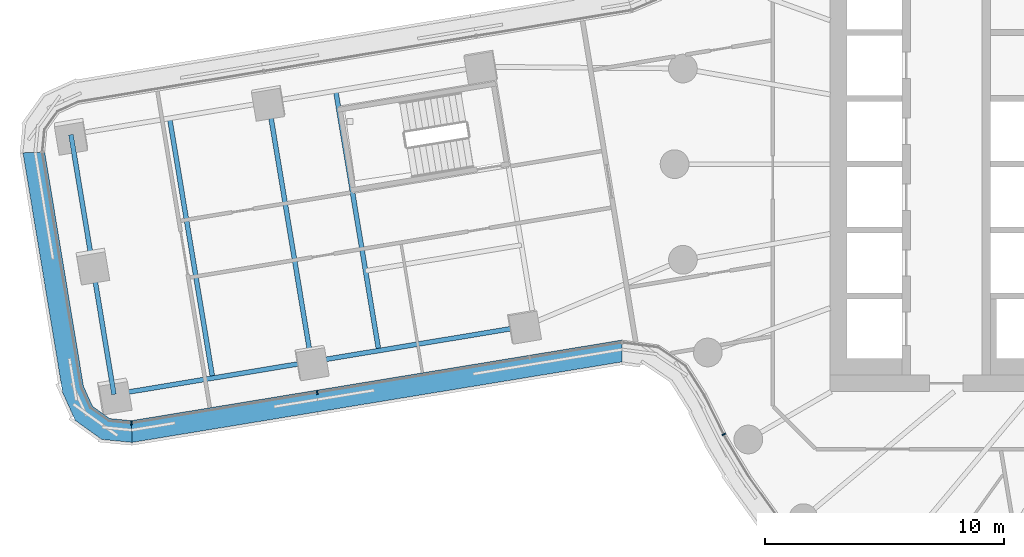
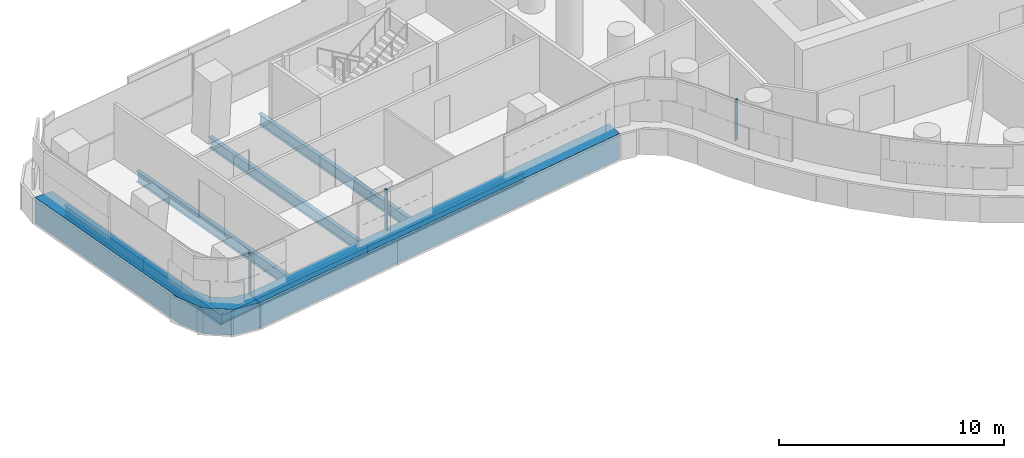
# One storey, part 6 of 32: 7 beams, 5 members, 3 elements without a shape of their own.
"""IFC4 building model written with IfcOpenShell, lengths in metres."""

from ifc_helpers import new_model, si_unit, direction, frame, origin, origin_2d, place, context, subcontext, project, spatial, polyline, rectangle, i_section, outline, extrude, material, layer, layer_set, material_profile, profile_set, type_object, element, aggregate, save


model = new_model("IFC4")

# Units and contexts
model_context = context("Model", 3, precision=1e-05, world=origin(), true_north=direction((0.0, 1.0)))
body_context = subcontext(model_context, "Body", "Model", "MODEL_VIEW")
ifc_project = project(units=[si_unit("LENGTHUNIT", "METRE"), si_unit("AREAUNIT", "SQUARE_METRE"), si_unit("VOLUMEUNIT", "CUBIC_METRE"), si_unit("PLANEANGLEUNIT", "RADIAN"), si_unit("MASSUNIT", "GRAM", prefix="KILO")], contexts=[model_context])

# Site, building, storey
site_placement = place(None, origin())
site = spatial("IfcSite", under=ifc_project, at=site_placement, CompositionType="ELEMENT")
building_placement = place(site_placement, origin())
building = spatial("IfcBuilding", under=site, at=building_placement, Name="Tamarind Cross Interchange Tower", CompositionType="ELEMENT")
storey_placement = place(building_placement, frame((0.0, 0.0, 67.75)))
storey = spatial("IfcBuildingStorey", under=building, at=storey_placement, Name="L15", CompositionType="ELEMENT", Elevation=67.75)

# Beams
ifc_material_1 = material(Name="Steel Q355B", Category="steel")
ifc_material_profile_1 = material_profile(ifc_material_1, i_section(OverallWidth=0.198974609375, OverallDepth=0.49609375, WebThickness=0.009033203125, FlangeThickness=0.013916015625, FilletRadius=0.012939453125, at=origin_2d()), Name="HN 496x199x9x14")
ifc_profile_set_1 = profile_set([ifc_material_profile_1], Name="Steel Q355B")
beam_type_1 = type_object("IfcBeamType", Name="Composite beam HN 496x199x9x14 Q355B", PredefinedType="BEAM", material=ifc_profile_set_1)
beam_1_placement = place(storey_placement, frame((-46.4169921875, -9.618408203125, -0.387939453125), z_axis=(0.986567008347, 0.163357087517, 0.0), x_axis=(-0.163357087517, 0.986567008347, 0.0)))
element("IfcBeam", 1, at=beam_1_placement, inside=storey, type_object=beam_type_1, Name="Beam W-edgeep2", PredefinedType="BEAM", context=body_context, shape_type="SweptSolid", body=[
    extrude(i_section(OverallWidth=0.198974609375, OverallDepth=0.49609375, WebThickness=0.009033203125, FlangeThickness=0.013916015625, FilletRadius=0.012939453125, at=origin_2d()), origin(), (0.0, 0.0, 1.0), 8.3603515625),
])
beam_2_placement = place(storey_placement, frame((-38.1689453125, -8.252685546875, -0.387939453125), z_axis=(0.986562757617, 0.163382756994, 0.0), x_axis=(-0.163382756994, 0.986562757617, 0.0)))
element("IfcBeam", 2, at=beam_2_placement, inside=storey, type_object=beam_type_1, Name="Beam W-edgeep3", PredefinedType="BEAM", context=body_context, shape_type="SweptSolid", body=[
    extrude(i_section(OverallWidth=0.198974609375, OverallDepth=0.49609375, WebThickness=0.009033203125, FlangeThickness=0.013916015625, FilletRadius=0.012939453125, at=origin_2d()), origin(), (0.0, 0.0, 1.0), 9.0),
])
ifc_material_profile_2 = material_profile(ifc_material_1, i_section(OverallWidth=0.199951171875, OverallDepth=0.60009765625, WebThickness=0.010986328125, FlangeThickness=0.01708984375, FilletRadius=0.012939453125, at=origin_2d()), Name="HN 600x200x11x17")
ifc_profile_set_2 = profile_set([ifc_material_profile_2], Name="Steel Q355B")
beam_type_2 = type_object("IfcBeamType", Name="Composite beam HN 600x200x11x17 Q355B", PredefinedType="BEAM", material=ifc_profile_set_2)
for number, where, z_axis, x_axis, name in (
    (3, (-48.214111328125, 1.233642578125, -0.43994140625), (0.163398335812, -0.986560177513, 0.0), (0.986560177513, 0.163398335812, 0.0), "Beam W-tip0"),
    (4, (-47.3154296875, -4.1923828125, -0.43994140625), (0.163355130843, -0.986567332333, 0.0), (0.986567332333, 0.163355130843, 0.0), "Beam W-tip1"),
):
    element("IfcBeam", number, at=place(storey_placement, frame(where, z_axis=z_axis, x_axis=x_axis)), inside=storey, type_object=beam_type_2, Name=name, PredefinedType="BEAM", context=body_context, shape_type="SweptSolid", body=[
        extrude(i_section(OverallWidth=0.199951171875, OverallDepth=0.60009765625, WebThickness=0.010986328125, FlangeThickness=0.01708984375, FilletRadius=0.012939453125, at=origin_2d()), origin(), (0.0, 0.0, 1.0), 5.5),
    ])
for number, where, z_axis, x_axis, name in (
    (5, (-37.154541015625, 3.065185546875, -0.43994140625), (0.163398335812, -0.986560177513, 0.0), (0.986560177513, 0.163398335812, 0.0), "Beam W-x364"),
    (6, (-39.966064453125, 2.599609375, -0.43994140625), (0.163373156112, -0.986564347553, 0.0), (0.986564347553, 0.163373156112, 0.0), "Beam W-x393"),
    (7, (-44.090087890625, 1.916748046875, -0.43994140625), (0.163373156112, -0.986564347553, 0.0), (0.986564347553, 0.163373156112, 0.0), "Beam W-x435"),
):
    element("IfcBeam", number, at=place(storey_placement, frame(where, z_axis=z_axis, x_axis=x_axis)), inside=storey, type_object=beam_type_2, Name=name, PredefinedType="BEAM", context=body_context, shape_type="SweptSolid", body=[
        extrude(i_section(OverallWidth=0.199951171875, OverallDepth=0.60009765625, WebThickness=0.010986328125, FlangeThickness=0.01708984375, FilletRadius=0.012939453125, at=origin_2d()), origin(), (0.0, 0.0, 1.0), 11.0),
    ])

# Curtain wall, member
ifc_material_2 = material(Name="Aluminium 6063-T6", Category="aluminium")
ifc_layer = layer(ifc_material_2, 0.159912109375)
ifc_layer_set = layer_set([ifc_layer], Name="Aluminium 6063-T6")
curtain_wall_type = type_object("IfcCurtainWallType", Name="Office curtain wall, 9.0 m bays", PredefinedType="NOTDEFINED", material=ifc_layer_set)
curtain_wall_1_placement = place(storey_placement, origin())
curtain_wall_1 = element("IfcCurtainWall", 8, at=curtain_wall_1_placement, inside=storey, type_object=curtain_wall_type, Name="CWS-L15-04", PredefinedType="NOTDEFINED")
ifc_material_3 = material(Name="Aluminium and insulated spandrel panel", Category="aluminium")
member_type_1 = type_object("IfcMemberType", Name="Floor-edge blade transom", PredefinedType="USERDEFINED", material=ifc_material_3)
member_1_placement = place(storey_placement, origin())
member_1 = element("IfcMember", 9, at=member_1_placement, type_object=member_type_1, Name="CWT-L15-04", ObjectType="TRANSOM", PredefinedType="USERDEFINED", context=body_context, shape_type="SweptSolid", body=[
    extrude(outline(polyline([(-49.309814453125, 0.50537109375), (-47.68896484375, -9.2822265625), (-47.310791015625, -10.115966796875), (-46.599609375, -10.625), (-45.6884765625, -10.71435546875), (-45.658935546875, -11.62158203125), (-46.927490234375, -11.4970703125), (-48.03076171875, -10.707275390625), (-48.557373046875, -9.546142578125), (-50.217041015625, 0.475341796875), (-49.309814453125, 0.50537109375)])), origin(), (0.0, 0.0, 1.0), 1.39990234375),
])
aggregate(curtain_wall_1, [member_1])

# Curtain wall, members
curtain_wall_2_placement = place(storey_placement, origin())
curtain_wall_2 = element("IfcCurtainWall", 10, at=curtain_wall_2_placement, inside=storey, type_object=curtain_wall_type, Name="CWS-L15-05", PredefinedType="NOTDEFINED")
member_2_placement = place(storey_placement, origin())
member_2 = element("IfcMember", 11, at=member_2_placement, type_object=member_type_1, Name="CWT-L15-05", ObjectType="TRANSOM", PredefinedType="USERDEFINED", context=body_context, shape_type="SweptSolid", body=[
    extrude(outline(polyline([(-45.6884765625, -10.71435546875), (-25.204345703125, -7.347900390625), (-25.1904296875, -8.2578125), (-45.658935546875, -11.62158203125), (-45.6884765625, -10.71435546875)])), origin(), (0.0, 0.0, 1.0), 1.39990234375),
])
ifc_material_profile_3 = material_profile(ifc_material_2, rectangle(XDim=0.06005859375, YDim=0.159912109375, at=origin_2d()), Name="Mullion CW1")
ifc_profile_set_3 = profile_set([ifc_material_profile_3], Name="Aluminium 6063-T6")
member_type_2 = type_object("IfcMemberType", Name="Mullion CW1", PredefinedType="MULLION", material=ifc_profile_set_3)
member_3_placement = place(storey_placement, frame((-45.68505859375, -10.81494140625, 1.39990234375), z_axis=(0.0, 0.0, 1.0), x_axis=(0.999468659138, 0.032594468883, 0.0)))
member_3 = element("IfcMember", 12, at=member_3_placement, type_object=member_type_2, Name="CWM-L15-05-00", PredefinedType="MULLION", context=body_context, shape_type="SweptSolid", body=[
    extrude(rectangle(XDim=0.06005859375, YDim=0.159912109375, at=origin_2d()), origin(), (0.0, 0.0, 1.0), 2.210205078125),
])
member_4_placement = place(storey_placement, frame((-37.927490234375, -9.540283203125, 1.39990234375), z_axis=(0.0, 0.0, 1.0), x_axis=(0.986763854922, 0.162163789482, 0.0)))
member_4 = element("IfcMember", 13, at=member_4_placement, type_object=member_type_2, Name="CWM-L15-05-01", PredefinedType="MULLION", context=body_context, shape_type="SweptSolid", body=[
    extrude(rectangle(XDim=0.06005859375, YDim=0.159912109375, at=origin_2d()), origin(), (0.0, 0.0, 1.0), 2.210205078125),
])
aggregate(curtain_wall_2, [member_3, member_4, member_2])

# Curtain wall, member
curtain_wall_3_placement = place(storey_placement, origin())
curtain_wall_3 = element("IfcCurtainWall", 14, at=curtain_wall_3_placement, inside=storey, type_object=curtain_wall_type, Name="CWS-L15-06", PredefinedType="NOTDEFINED")
member_5_placement = place(storey_placement, frame((-20.943359375, -11.284912109375, 1.39990234375), z_axis=(0.0, 0.0, 1.0), x_axis=(0.443058811505, -0.896492548518, 0.0)))
member_5 = element("IfcMember", 15, at=member_5_placement, type_object=member_type_2, Name="CWM-L15-06-01", PredefinedType="MULLION", context=body_context, shape_type="SweptSolid", body=[
    extrude(rectangle(XDim=0.06005859375, YDim=0.159912109375, at=origin_2d()), origin(), (0.0, 0.0, 1.0), 2.210205078125),
])
aggregate(curtain_wall_3, [member_5])

save(model, "model.ifc")
